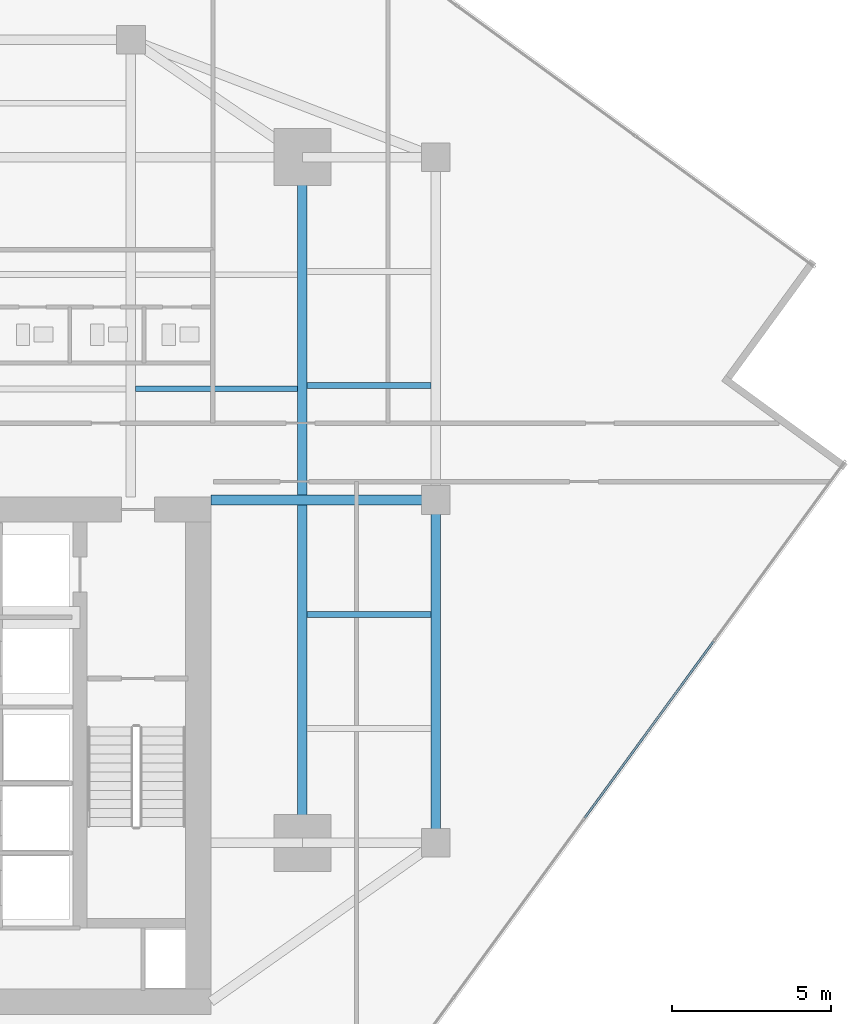
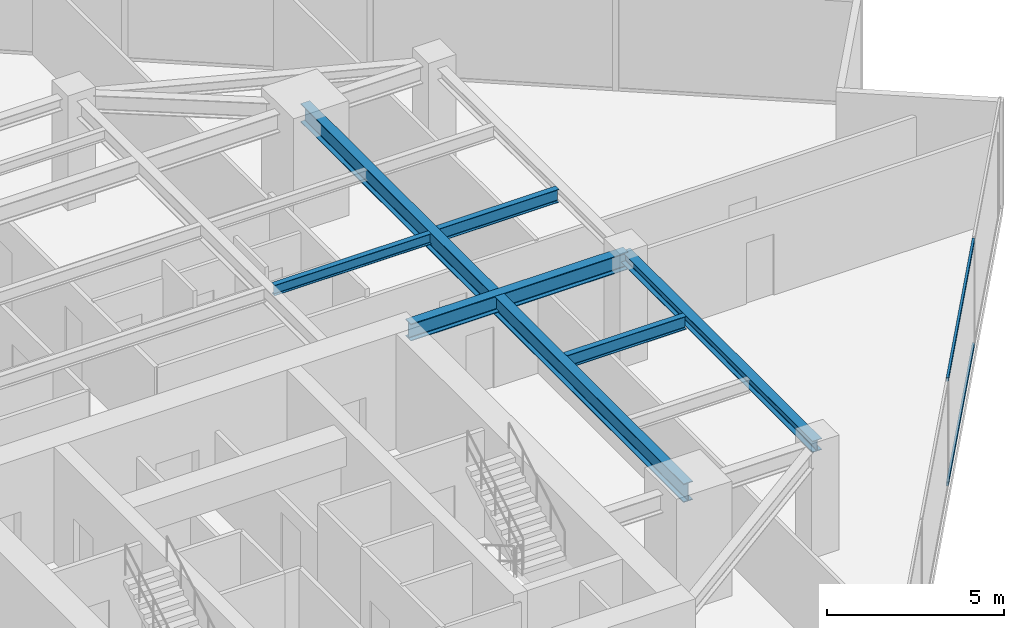
# One storey, part 10 of 25: 6 beams, 2 members, 1 element without a shape of its own.
"""IFC4 building model written with IfcOpenShell, lengths in metres."""

from ifc_helpers import new_model, si_unit, direction, frame, origin, origin_2d, place, context, subcontext, project, spatial, hollow_rectangle, i_section, extrude, source, transform, mapped, material, material_profile, profile_set, type_object, type_shapes, element, aggregate, save


model = new_model("IFC4")

# Units and contexts
model_context = context("Model", 3, precision=1e-05, world=origin(), true_north=direction((0.0, 1.0)))
body_context = subcontext(model_context, "Body", "Model", "MODEL_VIEW")
ifc_project = project(units=[si_unit("LENGTHUNIT", "METRE"), si_unit("AREAUNIT", "SQUARE_METRE"), si_unit("VOLUMEUNIT", "CUBIC_METRE"), si_unit("PLANEANGLEUNIT", "RADIAN"), si_unit("MASSUNIT", "GRAM", prefix="KILO")], contexts=[model_context])

# Site, building, storey
site_placement = place(None, origin())
site = spatial("IfcSite", under=ifc_project, at=site_placement, CompositionType="ELEMENT")
building_placement = place(site_placement, origin())
building = spatial("IfcBuilding", under=site, at=building_placement, Name="Krantzveldt Concourse Tower", CompositionType="ELEMENT")
storey_placement = place(building_placement, frame((0.0, 0.0, 193.60009765625)))
storey = spatial("IfcBuildingStorey", under=building, at=storey_placement, Name="L47", CompositionType="ELEMENT", Elevation=193.60009765625)

# Beams
ifc_material_1 = material(Name="Steel S355JR", Category="steel")
ifc_material_profile_1 = material_profile(ifc_material_1, i_section(OverallWidth=0.300048828125, OverallDepth=0.639892578125, WebThickness=0.013427734375, FlangeThickness=0.02587890625, FilletRadius=0.027099609375, at=origin_2d()), Name="Steel S355JR", Category="steel")
ifc_profile_set_1 = profile_set([ifc_material_profile_1], Name="Steel S355JR - HEA 650")
beam_type_1 = type_object("IfcBeamType", Name="BM-B-HEA650", PredefinedType="BEAM", material=ifc_profile_set_1)
shared_shape_1 = source(origin(), body_context, "Body", "SweptSolid", [
    extrude(i_section(OverallWidth=0.300048828125, OverallDepth=0.639892578125, WebThickness=0.013427734375, FlangeThickness=0.02587890625, FilletRadius=0.027099609375, at=origin_2d()), origin(), (0.0, 0.0, 1.0), 21.60009765625),
])
type_shapes(beam_type_1, [shared_shape_1])
beam_1_placement = place(storey_placement, frame((46.800048828125, 15.89990234375, 3.349853515625), z_axis=(0.0, 1.0, 0.0), x_axis=(-1.0, 0.0, 0.0)))
element("IfcBeam", 1, at=beam_1_placement, inside=storey, type_object=beam_type_1, Name="L47 Tower Girder BG-ME", PredefinedType="BEAM", context=body_context, shape_type="MappedRepresentation", body=[
    mapped(shared_shape_1, transform((0.0, 0.0, 0.0), x_axis=(1.0, 0.0, 0.0), y_axis=(0.0, 1.0, 0.0), z_axis=(0.0, 0.0, 1.0), scale=1.0)),
])
ifc_material_profile_2 = material_profile(ifc_material_1, i_section(OverallWidth=0.300048828125, OverallDepth=0.590087890625, WebThickness=0.012939453125, FlangeThickness=0.02490234375, FilletRadius=0.027099609375, at=origin_2d()), Name="Steel S355JR", Category="steel")
ifc_profile_set_2 = profile_set([ifc_material_profile_2], Name="Steel S355JR - HEA 600")
beam_type_2 = type_object("IfcBeamType", Name="BM-B-HEA600", PredefinedType="BEAM", material=ifc_profile_set_2)
shared_shape_2 = source(origin(), body_context, "Body", "SweptSolid", [
    extrude(i_section(OverallWidth=0.300048828125, OverallDepth=0.590087890625, WebThickness=0.012939453125, FlangeThickness=0.02490234375, FilletRadius=0.027099609375, at=origin_2d()), origin(), (0.0, 0.0, 1.0), 7.080078125),
])
type_shapes(beam_type_2, [shared_shape_2])
beam_2_placement = place(storey_placement, frame((43.919921875, 26.699951171875, 3.375), z_axis=(1.0, 0.0, 0.0), x_axis=(0.0, 1.0, 0.0)))
element("IfcBeam", 2, at=beam_2_placement, inside=storey, type_object=beam_type_2, Name="L47 Tower Girder BG-CE2", PredefinedType="BEAM", context=body_context, shape_type="MappedRepresentation", body=[
    mapped(shared_shape_2, transform((0.0, 0.0, 0.0), x_axis=(1.0, 0.0, 0.0), y_axis=(0.0, 1.0, 0.0), z_axis=(0.0, 0.0, 1.0), scale=1.0)),
])
ifc_material_profile_3 = material_profile(ifc_material_1, i_section(OverallWidth=0.300048828125, OverallDepth=0.389892578125, WebThickness=0.010986328125, FlangeThickness=0.01904296875, FilletRadius=0.027099609375, at=origin_2d()), Name="Steel S355JR", Category="steel")
ifc_profile_set_3 = profile_set([ifc_material_profile_3], Name="Steel S355JR - HEA 400")
beam_type_3 = type_object("IfcBeamType", Name="BM-SP-HEA400", PredefinedType="SPANDREL", material=ifc_profile_set_3)
shared_shape_3 = source(origin(), body_context, "Body", "SweptSolid", [
    extrude(i_section(OverallWidth=0.300048828125, OverallDepth=0.389892578125, WebThickness=0.010986328125, FlangeThickness=0.01904296875, FilletRadius=0.027099609375, at=origin_2d()), origin(), (0.0, 0.0, 1.0), 10.800048828125),
])
type_shapes(beam_type_3, [shared_shape_3])
beam_3_placement = place(storey_placement, frame((51.0, 26.699951171875, 3.474853515625), z_axis=(0.0, -1.0, 0.0), x_axis=(1.0, 0.0, 0.0)))
element("IfcBeam", 3, at=beam_3_placement, inside=storey, type_object=beam_type_3, Name="L47 Tower Girder SP-R07", PredefinedType="SPANDREL", context=body_context, shape_type="MappedRepresentation", body=[
    mapped(shared_shape_3, transform((0.0, 0.0, 0.0), x_axis=(1.0, 0.0, 0.0), y_axis=(0.0, 1.0, 0.0), z_axis=(0.0, 0.0, 1.0), scale=1.0)),
])
ifc_material_profile_4 = material_profile(ifc_material_1, i_section(OverallWidth=0.169921875, OverallDepth=0.360107421875, WebThickness=0.008056640625, FlangeThickness=0.0126953125, FilletRadius=0.01806640625, at=origin_2d()), Name="Steel S355JR", Category="steel")
ifc_profile_set_4 = profile_set([ifc_material_profile_4], Name="Steel S355JR - IPE 360")
beam_type_4 = type_object("IfcBeamType", Name="BM-J-IPE360", PredefinedType="JOIST", material=ifc_profile_set_4)
shared_shape_4 = source(origin(), body_context, "Body", "SweptSolid", [
    extrude(i_section(OverallWidth=0.169921875, OverallDepth=0.360107421875, WebThickness=0.008056640625, FlangeThickness=0.0126953125, FilletRadius=0.01806640625, at=origin_2d()), origin(), (0.0, 0.0, 1.0), 5.099853515625),
])
type_shapes(beam_type_4, [shared_shape_4])
beam_4_placement = place(storey_placement, frame((41.550048828125, 30.199951171875, 3.489990234375), z_axis=(1.0, 0.0, 0.0), x_axis=(0.0, 1.0, 0.0)))
element("IfcBeam", 4, at=beam_4_placement, inside=storey, type_object=beam_type_4, Name="L47 Secondary Floor Joist JN-E1", PredefinedType="JOIST", context=body_context, shape_type="MappedRepresentation", body=[
    mapped(shared_shape_4, transform((0.0, 0.0, 0.0), x_axis=(1.0, 0.0, 0.0), y_axis=(0.0, 1.0, 0.0), z_axis=(0.0, 0.0, 1.0), scale=1.0)),
])
ifc_material_profile_5 = material_profile(ifc_material_1, i_section(OverallWidth=0.18994140625, OverallDepth=0.449951171875, WebThickness=0.009521484375, FlangeThickness=0.0146484375, FilletRadius=0.02099609375, at=origin_2d()), Name="Steel S355JR", Category="steel")
ifc_profile_set_5 = profile_set([ifc_material_profile_5], Name="Steel S355JR - IPE 450")
beam_type_5 = type_object("IfcBeamType", Name="BM-J-IPE450", PredefinedType="JOIST", material=ifc_profile_set_5)
shared_shape_5 = source(origin(), body_context, "Body", "SweptSolid", [
    extrude(i_section(OverallWidth=0.18994140625, OverallDepth=0.449951171875, WebThickness=0.009521484375, FlangeThickness=0.0146484375, FilletRadius=0.02099609375, at=origin_2d()), origin(), (0.0, 0.0, 1.0), 3.900146484375),
])
type_shapes(beam_type_5, [shared_shape_5])
for number, where, z_axis, x_axis, name in (
    (5, (46.949951171875, 23.10009765625, 3.44482421875), (1.0, 0.0, 0.0), (0.0, 1.0, 0.0), "L47 Secondary Floor Joist JE-2"),
    (6, (46.949951171875, 30.300048828125, 3.44482421875), (1.0, 0.0, 0.0), (0.0, 1.0, 0.0), "L47 Secondary Floor Joist JE-3"),
):
    element("IfcBeam", number, at=place(storey_placement, frame(where, z_axis=z_axis, x_axis=x_axis)), inside=storey, type_object=beam_type_5, Name=name, PredefinedType="JOIST", context=body_context, shape_type="MappedRepresentation", body=[
        mapped(shared_shape_5, transform((0.0, 0.0, 0.0), x_axis=(1.0, 0.0, 0.0), y_axis=(0.0, 1.0, 0.0), z_axis=(0.0, 0.0, 1.0), scale=1.0)),
    ])

# Curtain wall, members
ifc_material_2 = material(Name="Anodised aluminium 6063-T6", Category="aluminium")
curtain_wall_type = type_object("IfcCurtainWallType", Name="CW3", PredefinedType="USERDEFINED", material=ifc_material_2)
curtain_wall_placement = place(storey_placement, origin())
curtain_wall = element("IfcCurtainWall", 7, at=curtain_wall_placement, inside=storey, type_object=curtain_wall_type, Name="CW-L47-F07", ObjectType="UNITISED CURTAIN WALL", PredefinedType="USERDEFINED")
ifc_material_profile_6 = material_profile(ifc_material_2, hollow_rectangle(XDim=0.070068359375, YDim=0.139892578125, WallThickness=0.0048828125, at=origin_2d()), Name="Anodised aluminium 6063-T6", Category="aluminium")
ifc_profile_set_6 = profile_set([ifc_material_profile_6], Name="Anodised aluminium 6063-T6 - ALU-TRAN 140x70x5")
member_type = type_object("IfcMemberType", Name="CW-TRN-150", PredefinedType="USERDEFINED", material=ifc_profile_set_6)
shared_shape_6 = source(origin(), body_context, "Body", "SweptSolid", [
    extrude(hollow_rectangle(XDim=0.070068359375, YDim=0.139892578125, WallThickness=0.0048828125, at=origin_2d()), origin(), (0.0, 0.0, 1.0), 6.889892578125),
])
type_shapes(member_type, [shared_shape_6])
member_1_placement = place(storey_placement, frame((55.68896484375, 16.68115234375, 0.034912109375), z_axis=(0.589557179589, 0.807726644352, 0.0), x_axis=(-0.807726644352, 0.589557179589, 0.0)))
member_1 = element("IfcMember", 8, at=member_1_placement, type_object=member_type, Name="CW-Z34 transom 4.1", ObjectType="TRANSOM", PredefinedType="USERDEFINED", context=body_context, shape_type="MappedRepresentation", body=[
    mapped(shared_shape_6, transform((0.0, 0.0, 0.0), x_axis=(1.0, 0.0, 0.0), y_axis=(0.0, 1.0, 0.0), z_axis=(0.0, 0.0, 1.0), scale=1.0)),
])
member_2_placement = place(storey_placement, frame((55.68896484375, 16.68115234375, 3.635009765625), z_axis=(0.589557179589, 0.807726644352, 0.0), x_axis=(-0.807726644352, 0.589557179589, 0.0)))
member_2 = element("IfcMember", 9, at=member_2_placement, type_object=member_type, Name="CW-Z34 transom 4.2", ObjectType="TRANSOM", PredefinedType="USERDEFINED", context=body_context, shape_type="MappedRepresentation", body=[
    mapped(shared_shape_6, transform((0.0, 0.0, 0.0), x_axis=(1.0, 0.0, 0.0), y_axis=(0.0, 1.0, 0.0), z_axis=(0.0, 0.0, 1.0), scale=1.0)),
])
aggregate(curtain_wall, [member_1, member_2])

save(model, "model.ifc")
